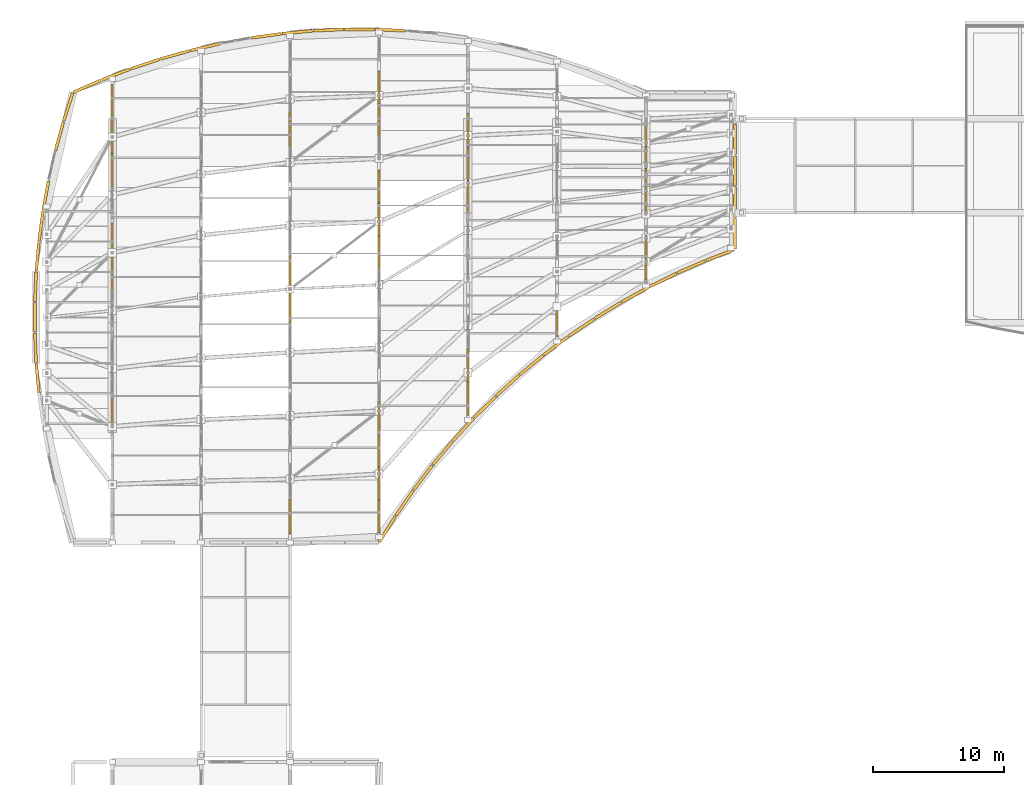
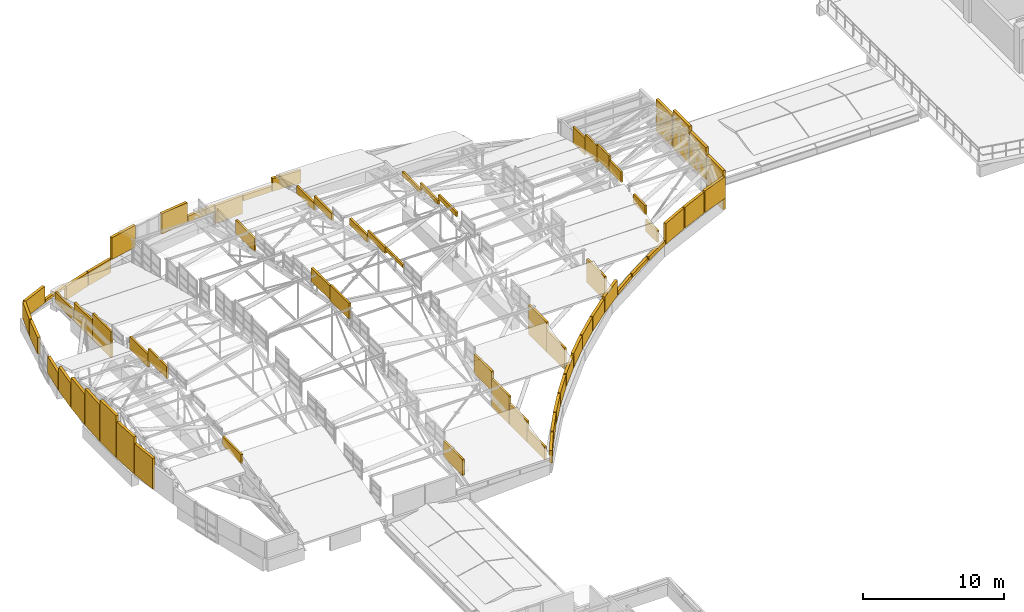
# One storey, part 183 of 188: 69 coverings.
"""IFC4 building model written with IfcOpenShell, lengths in metres."""

from ifc_helpers import new_model, si_unit, direction, frame, origin, origin_2d, place, context, subcontext, project, spatial, rectangle, extrude, material, layer, layer_set, type_object, element, save


model = new_model("IFC4")

# Units and contexts
model_context = context("Model", 3, precision=1e-05, world=origin(), true_north=direction((0.0, 1.0)))
body_context = subcontext(model_context, "Body", "Model", "MODEL_VIEW")
ifc_project = project(units=[si_unit("LENGTHUNIT", "METRE"), si_unit("AREAUNIT", "SQUARE_METRE"), si_unit("VOLUMEUNIT", "CUBIC_METRE"), si_unit("PLANEANGLEUNIT", "RADIAN"), si_unit("MASSUNIT", "GRAM", prefix="KILO")], contexts=[model_context])

# Site, building, storey
site_placement = place(None, origin())
site = spatial("IfcSite", under=ifc_project, at=site_placement, CompositionType="ELEMENT")
building_placement = place(site_placement, origin())
building = spatial("IfcBuilding", under=site, at=building_placement, Name="Kisaragi Civic Commons", CompositionType="ELEMENT")
storey_placement = place(building_placement, frame((0.0, 0.0, 9.60009765625)))
storey = spatial("IfcBuildingStorey", under=building, at=storey_placement, Name="L02", CompositionType="ELEMENT", Elevation=9.60009765625)

# Coverings
ifc_material = material(Name="Extruded Tokoname terracotta rainscreen tile", Category="masonry")
ifc_layer = layer(ifc_material, 0.0400390625, Name="Extruded Tokoname terracotta rainscreen tile", Category="masonry")
ifc_layer_set = layer_set([ifc_layer], Name="Extruded Tokoname terracotta rainscreen tile")
covering_type = type_object("IfcCoveringType", Name="CLD-01", PredefinedType="CLADDING", material=ifc_layer_set)
covering_1_placement = place(storey_placement, frame((6.800048828125, 89.091796875, 1.6162109375), z_axis=(0.0, 0.0, 1.0), x_axis=(0.0, 1.0, 0.0)))
element("IfcCovering", 1, at=covering_1_placement, inside=storey, type_object=covering_type, Name="V2 L02 wave-step terracotta tympanum cladding 137", PredefinedType="CLADDING", context=body_context, shape_type="SweptSolid", body=[
    extrude(rectangle(XDim=2.622314453125, YDim=0.159912109375, at=origin_2d()), origin(), (0.0, 0.0, 1.0), 0.783203125),
])
covering_2_placement = place(storey_placement, frame((6.800048828125, 99.6767578125, 2.59326171875), z_axis=(0.0, 0.0, 1.0), x_axis=(0.0, 1.0, 0.0)))
element("IfcCovering", 2, at=covering_2_placement, inside=storey, type_object=covering_type, Name="V2 L02 wave-step terracotta tympanum cladding 138", PredefinedType="CLADDING", context=body_context, shape_type="SweptSolid", body=[
    extrude(rectangle(XDim=2.622314453125, YDim=0.159912109375, at=origin_2d()), origin(), (0.0, 0.0, 1.0), 1.008544921875),
])
covering_3_placement = place(storey_placement, frame((6.800048828125, 102.322998046875, 1.97119140625), z_axis=(0.0, 0.0, 1.0), x_axis=(0.0, 1.0, 0.0)))
element("IfcCovering", 3, at=covering_3_placement, inside=storey, type_object=covering_type, Name="V2 L02 wave-step terracotta tympanum cladding 139", PredefinedType="CLADDING", context=body_context, shape_type="SweptSolid", body=[
    extrude(rectangle(XDim=2.622314453125, YDim=0.159912109375, at=origin_2d()), origin(), (0.0, 0.0, 1.0), 1.1015625),
])
covering_4_placement = place(storey_placement, frame((6.800048828125, 107.615478515625, -0.419921875), z_axis=(0.0, 0.0, 1.0), x_axis=(0.0, 1.0, 0.0)))
element("IfcCovering", 4, at=covering_4_placement, inside=storey, type_object=covering_type, Name="V2 L02 wave-step terracotta tympanum cladding 140", PredefinedType="CLADDING", context=body_context, shape_type="SweptSolid", body=[
    extrude(rectangle(XDim=2.622314453125, YDim=0.159912109375, at=origin_2d()), origin(), (0.0, 0.0, 1.0), 2.283935546875),
])
covering_5_placement = place(storey_placement, frame((6.800048828125, 110.26171875, -0.420166015625), z_axis=(0.0, 0.0, 1.0), x_axis=(0.0, 1.0, 0.0)))
element("IfcCovering", 5, at=covering_5_placement, inside=storey, type_object=covering_type, Name="V2 L02 wave-step terracotta tympanum cladding 141", PredefinedType="CLADDING", context=body_context, shape_type="SweptSolid", body=[
    extrude(rectangle(XDim=2.622314453125, YDim=0.159912109375, at=origin_2d()), origin(), (0.0, 0.0, 1.0), 1.6240234375),
])
covering_6_placement = place(storey_placement, frame((6.800048828125, 112.90771484375, -0.419921875), z_axis=(0.0, 0.0, 1.0), x_axis=(0.0, 1.0, 0.0)))
element("IfcCovering", 6, at=covering_6_placement, inside=storey, type_object=covering_type, Name="V2 L02 wave-step terracotta tympanum cladding 142", PredefinedType="CLADDING", context=body_context, shape_type="SweptSolid", body=[
    extrude(rectangle(XDim=2.622314453125, YDim=0.159912109375, at=origin_2d()), origin(), (0.0, 0.0, 1.0), 0.907470703125),
])
covering_7_placement = place(storey_placement, frame((20.39990234375, 81.17626953125, 0.639892578125), z_axis=(0.0, 0.0, 1.0), x_axis=(0.0, 1.0, 0.0)))
element("IfcCovering", 7, at=covering_7_placement, inside=storey, type_object=covering_type, Name="V2 L02 wave-step terracotta tympanum cladding 143", PredefinedType="CLADDING", context=body_context, shape_type="SweptSolid", body=[
    extrude(rectangle(XDim=2.66845703125, YDim=0.159912109375, at=origin_2d()), origin(), (0.0, 0.0, 1.0), 1.39599609375),
])
covering_8_placement = place(storey_placement, frame((20.39990234375, 97.331298828125, 4.4189453125), z_axis=(0.0, 0.0, 1.0), x_axis=(0.0, 1.0, 0.0)))
element("IfcCovering", 8, at=covering_8_placement, inside=storey, type_object=covering_type, Name="V2 L02 wave-step terracotta tympanum cladding 144", PredefinedType="CLADDING", context=body_context, shape_type="SweptSolid", body=[
    extrude(rectangle(XDim=2.66845703125, YDim=0.159912109375, at=origin_2d()), origin(), (0.0, 0.0, 1.0), 1.37451171875),
])
covering_9_placement = place(storey_placement, frame((20.39990234375, 100.023681640625, 4.470947265625), z_axis=(0.0, 0.0, 1.0), x_axis=(0.0, 1.0, 0.0)))
element("IfcCovering", 9, at=covering_9_placement, inside=storey, type_object=covering_type, Name="V2 L02 wave-step terracotta tympanum cladding 145", PredefinedType="CLADDING", context=body_context, shape_type="SweptSolid", body=[
    extrude(rectangle(XDim=2.66845703125, YDim=0.159912109375, at=origin_2d()), origin(), (0.0, 0.0, 1.0), 1.173828125),
])
covering_10_placement = place(storey_placement, frame((20.39990234375, 110.79345703125, 2.12744140625), z_axis=(0.0, 0.0, 1.0), x_axis=(0.0, 1.0, 0.0)))
element("IfcCovering", 10, at=covering_10_placement, inside=storey, type_object=covering_type, Name="V2 L02 wave-step terracotta tympanum cladding 146", PredefinedType="CLADDING", context=body_context, shape_type="SweptSolid", body=[
    extrude(rectangle(XDim=2.66845703125, YDim=0.159912109375, at=origin_2d()), origin(), (0.0, 0.0, 1.0), 1.135009765625),
])
covering_11_placement = place(storey_placement, frame((27.199951171875, 81.163330078125, -0.419921875), z_axis=(0.0, 0.0, 1.0), x_axis=(0.0, 1.0, 0.0)))
element("IfcCovering", 11, at=covering_11_placement, inside=storey, type_object=covering_type, Name="V2 L02 wave-step terracotta tympanum cladding 147", PredefinedType="CLADDING", context=body_context, shape_type="SweptSolid", body=[
    extrude(rectangle(XDim=2.501220703125, YDim=0.159912109375, at=origin_2d()), origin(), (0.0, 0.0, 1.0), 1.116455078125),
])
covering_12_placement = place(storey_placement, frame((27.199951171875, 83.688720703125, -0.420166015625), z_axis=(0.0, 0.0, 1.0), x_axis=(0.0, 1.0, 0.0)))
element("IfcCovering", 12, at=covering_12_placement, inside=storey, type_object=covering_type, Name="V2 L02 wave-step terracotta tympanum cladding 148", PredefinedType="CLADDING", context=body_context, shape_type="SweptSolid", body=[
    extrude(rectangle(XDim=2.501220703125, YDim=0.159912109375, at=origin_2d()), origin(), (0.0, 0.0, 1.0), 1.81689453125),
])
covering_13_placement = place(storey_placement, frame((27.199951171875, 86.2138671875, -0.420166015625), z_axis=(0.0, 0.0, 1.0), x_axis=(0.0, 1.0, 0.0)))
element("IfcCovering", 13, at=covering_13_placement, inside=storey, type_object=covering_type, Name="V2 L02 wave-step terracotta tympanum cladding 149", PredefinedType="CLADDING", context=body_context, shape_type="SweptSolid", body=[
    extrude(rectangle(XDim=2.501220703125, YDim=0.159912109375, at=origin_2d()), origin(), (0.0, 0.0, 1.0), 2.4541015625),
])
covering_14_placement = place(storey_placement, frame((27.199951171875, 88.739013671875, 1.00732421875), z_axis=(0.0, 0.0, 1.0), x_axis=(0.0, 1.0, 0.0)))
element("IfcCovering", 14, at=covering_14_placement, inside=storey, type_object=covering_type, Name="V2 L02 wave-step terracotta tympanum cladding 150", PredefinedType="CLADDING", context=body_context, shape_type="SweptSolid", body=[
    extrude(rectangle(XDim=2.501220703125, YDim=0.159912109375, at=origin_2d()), origin(), (0.0, 0.0, 1.0), 1.656494140625),
])
covering_15_placement = place(storey_placement, frame((27.199951171875, 101.364990234375, 4.0107421875), z_axis=(0.0, 0.0, 1.0), x_axis=(0.0, 1.0, 0.0)))
element("IfcCovering", 15, at=covering_15_placement, inside=storey, type_object=covering_type, Name="V2 L02 wave-step terracotta tympanum cladding 151", PredefinedType="CLADDING", context=body_context, shape_type="SweptSolid", body=[
    extrude(rectangle(XDim=2.501220703125, YDim=0.159912109375, at=origin_2d()), origin(), (0.0, 0.0, 1.0), 0.259521484375),
])
covering_16_placement = place(storey_placement, frame((27.199951171875, 103.89013671875, 3.7158203125), z_axis=(0.0, 0.0, 1.0), x_axis=(0.0, 1.0, 0.0)))
element("IfcCovering", 16, at=covering_16_placement, inside=storey, type_object=covering_type, Name="V2 L02 wave-step terracotta tympanum cladding 152", PredefinedType="CLADDING", context=body_context, shape_type="SweptSolid", body=[
    extrude(rectangle(XDim=2.501220703125, YDim=0.159912109375, at=origin_2d()), origin(), (0.0, 0.0, 1.0), 0.517333984375),
])
covering_17_placement = place(storey_placement, frame((27.199951171875, 106.415283203125, 3.15625), z_axis=(0.0, 0.0, 1.0), x_axis=(0.0, 1.0, 0.0)))
element("IfcCovering", 17, at=covering_17_placement, inside=storey, type_object=covering_type, Name="V2 L02 wave-step terracotta tympanum cladding 153", PredefinedType="CLADDING", context=body_context, shape_type="SweptSolid", body=[
    extrude(rectangle(XDim=2.501220703125, YDim=0.159912109375, at=origin_2d()), origin(), (0.0, 0.0, 1.0), 0.586181640625),
])
covering_18_placement = place(storey_placement, frame((27.199951171875, 111.4658203125, 1.9599609375), z_axis=(0.0, 0.0, 1.0), x_axis=(0.0, 1.0, 0.0)))
element("IfcCovering", 18, at=covering_18_placement, inside=storey, type_object=covering_type, Name="V2 L02 wave-step terracotta tympanum cladding 154", PredefinedType="CLADDING", context=body_context, shape_type="SweptSolid", body=[
    extrude(rectangle(XDim=2.501220703125, YDim=0.159912109375, at=origin_2d()), origin(), (0.0, 0.0, 1.0), 0.65380859375),
])
covering_19_placement = place(storey_placement, frame((27.199951171875, 113.990966796875, 1.321044921875), z_axis=(0.0, 0.0, 1.0), x_axis=(0.0, 1.0, 0.0)))
element("IfcCovering", 19, at=covering_19_placement, inside=storey, type_object=covering_type, Name="V2 L02 wave-step terracotta tympanum cladding 155", PredefinedType="CLADDING", context=body_context, shape_type="SweptSolid", body=[
    extrude(rectangle(XDim=2.501220703125, YDim=0.159912109375, at=origin_2d()), origin(), (0.0, 0.0, 1.0), 0.6630859375),
])
covering_20_placement = place(storey_placement, frame((34.0, 90.17138671875, -0.419921875), z_axis=(0.0, 0.0, 1.0), x_axis=(0.0, 1.0, 0.0)))
element("IfcCovering", 20, at=covering_20_placement, inside=storey, type_object=covering_type, Name="V2 L02 wave-step terracotta tympanum cladding 156", PredefinedType="CLADDING", context=body_context, shape_type="SweptSolid", body=[
    extrude(rectangle(XDim=2.544189453125, YDim=0.159912109375, at=origin_2d()), origin(), (0.0, 0.0, 1.0), 1.884521484375),
])
covering_21_placement = place(storey_placement, frame((34.0, 92.739501953125, -0.420166015625), z_axis=(0.0, 0.0, 1.0), x_axis=(0.0, 1.0, 0.0)))
element("IfcCovering", 21, at=covering_21_placement, inside=storey, type_object=covering_type, Name="V2 L02 wave-step terracotta tympanum cladding 157", PredefinedType="CLADDING", context=body_context, shape_type="SweptSolid", body=[
    extrude(rectangle(XDim=2.544189453125, YDim=0.159912109375, at=origin_2d()), origin(), (0.0, 0.0, 1.0), 2.56396484375),
])
covering_22_placement = place(storey_placement, frame((34.0, 105.5810546875, 3.509033203125), z_axis=(0.0, 0.0, 1.0), x_axis=(0.0, 1.0, 0.0)))
element("IfcCovering", 22, at=covering_22_placement, inside=storey, type_object=covering_type, Name="V2 L02 wave-step terracotta tympanum cladding 158", PredefinedType="CLADDING", context=body_context, shape_type="SweptSolid", body=[
    extrude(rectangle(XDim=2.544189453125, YDim=0.159912109375, at=origin_2d()), origin(), (0.0, 0.0, 1.0), 0.3955078125),
])
covering_23_placement = place(storey_placement, frame((34.0, 108.1494140625, 3.009765625), z_axis=(0.0, 0.0, 1.0), x_axis=(0.0, 1.0, 0.0)))
element("IfcCovering", 23, at=covering_23_placement, inside=storey, type_object=covering_type, Name="V2 L02 wave-step terracotta tympanum cladding 159", PredefinedType="CLADDING", context=body_context, shape_type="SweptSolid", body=[
    extrude(rectangle(XDim=2.544189453125, YDim=0.159912109375, at=origin_2d()), origin(), (0.0, 0.0, 1.0), 0.360595703125),
])
covering_24_placement = place(storey_placement, frame((34.0, 110.717529296875, 2.43994140625), z_axis=(0.0, 0.0, 1.0), x_axis=(0.0, 1.0, 0.0)))
element("IfcCovering", 24, at=covering_24_placement, inside=storey, type_object=covering_type, Name="V2 L02 wave-step terracotta tympanum cladding 160", PredefinedType="CLADDING", context=body_context, shape_type="SweptSolid", body=[
    extrude(rectangle(XDim=2.544189453125, YDim=0.159912109375, at=origin_2d()), origin(), (0.0, 0.0, 1.0), 0.360107421875),
])
covering_25_placement = place(storey_placement, frame((40.800048828125, 96.22900390625, -0.419921875), z_axis=(0.0, 0.0, 1.0), x_axis=(0.0, 1.0, 0.0)))
element("IfcCovering", 25, at=covering_25_placement, inside=storey, type_object=covering_type, Name="V2 L02 wave-step terracotta tympanum cladding 163", PredefinedType="CLADDING", context=body_context, shape_type="SweptSolid", body=[
    extrude(rectangle(XDim=2.553466796875, YDim=0.159912109375, at=origin_2d()), origin(), (0.0, 0.0, 1.0), 2.023681640625),
])
covering_26_placement = place(storey_placement, frame((47.60009765625, 100.099365234375, -0.420166015625), z_axis=(0.0, 0.0, 1.0), x_axis=(0.0, 1.0, 0.0)))
element("IfcCovering", 26, at=covering_26_placement, inside=storey, type_object=covering_type, Name="V2 L02 wave-step terracotta tympanum cladding 164", PredefinedType="CLADDING", context=body_context, shape_type="SweptSolid", body=[
    extrude(rectangle(XDim=1.692138671875, YDim=0.159912109375, at=origin_2d()), origin(), (0.0, 0.0, 1.0), 0.9921875),
])
covering_27_placement = place(storey_placement, frame((47.60009765625, 101.8154296875, 0.93994140625), z_axis=(0.0, 0.0, 1.0), x_axis=(0.0, 1.0, 0.0)))
element("IfcCovering", 27, at=covering_27_placement, inside=storey, type_object=covering_type, Name="V2 L02 wave-step terracotta tympanum cladding 165", PredefinedType="CLADDING", context=body_context, shape_type="SweptSolid", body=[
    extrude(rectangle(XDim=1.69189453125, YDim=0.159912109375, at=origin_2d()), origin(), (0.0, 0.0, 1.0), 0.797119140625),
])
covering_28_placement = place(storey_placement, frame((47.60009765625, 105.24755859375, 1.6767578125), z_axis=(0.0, 0.0, 1.0), x_axis=(0.0, 1.0, 0.0)))
element("IfcCovering", 28, at=covering_28_placement, inside=storey, type_object=covering_type, Name="V2 L02 wave-step terracotta tympanum cladding 166", PredefinedType="CLADDING", context=body_context, shape_type="SweptSolid", body=[
    extrude(rectangle(XDim=1.692138671875, YDim=0.159912109375, at=origin_2d()), origin(), (0.0, 0.0, 1.0), 0.9052734375),
])
covering_29_placement = place(storey_placement, frame((47.60009765625, 106.9638671875, 1.680908203125), z_axis=(0.0, 0.0, 1.0), x_axis=(0.0, 1.0, 0.0)))
element("IfcCovering", 29, at=covering_29_placement, inside=storey, type_object=covering_type, Name="V2 L02 wave-step terracotta tympanum cladding 167", PredefinedType="CLADDING", context=body_context, shape_type="SweptSolid", body=[
    extrude(rectangle(XDim=1.692138671875, YDim=0.159912109375, at=origin_2d()), origin(), (0.0, 0.0, 1.0), 1.24853515625),
])
covering_30_placement = place(storey_placement, frame((47.60009765625, 108.6796875, 1.332275390625), z_axis=(0.0, 0.0, 1.0), x_axis=(0.0, 1.0, 0.0)))
element("IfcCovering", 30, at=covering_30_placement, inside=storey, type_object=covering_type, Name="V2 L02 wave-step terracotta tympanum cladding 168", PredefinedType="CLADDING", context=body_context, shape_type="SweptSolid", body=[
    extrude(rectangle(XDim=1.69189453125, YDim=0.159912109375, at=origin_2d()), origin(), (0.0, 0.0, 1.0), 1.41650390625),
])
covering_31_placement = place(storey_placement, frame((47.60009765625, 110.395751953125, 0.94482421875), z_axis=(0.0, 0.0, 1.0), x_axis=(0.0, 1.0, 0.0)))
element("IfcCovering", 31, at=covering_31_placement, inside=storey, type_object=covering_type, Name="V2 L02 wave-step terracotta tympanum cladding 169", PredefinedType="CLADDING", context=body_context, shape_type="SweptSolid", body=[
    extrude(rectangle(XDim=1.692138671875, YDim=0.159912109375, at=origin_2d()), origin(), (0.0, 0.0, 1.0), 1.431396484375),
])
covering_32_placement = place(storey_placement, frame((1.09619140625, 91.73291015625, -0.32421875), z_axis=(0.0, 0.0, 1.0), x_axis=(-0.089763472712, 0.995963111248, 0.0)))
element("IfcCovering", 32, at=covering_32_placement, inside=storey, type_object=covering_type, Name="V2 L02 curved terracotta gable cladding 174", PredefinedType="CLADDING", context=body_context, shape_type="SweptSolid", body=[
    extrude(rectangle(XDim=2.257080078125, YDim=0.219970703125, at=origin_2d()), origin(), (0.0, 0.0, 1.0), 2.660400390625),
])
covering_33_placement = place(storey_placement, frame((0.938720703125, 94.06396484375, -0.32421875), z_axis=(0.0, 0.0, 1.0), x_axis=(-0.045014278861, 0.9989863436, 0.0)))
element("IfcCovering", 33, at=covering_33_placement, inside=storey, type_object=covering_type, Name="V2 L02 curved terracotta gable cladding 175", PredefinedType="CLADDING", context=body_context, shape_type="SweptSolid", body=[
    extrude(rectangle(XDim=2.257080078125, YDim=0.219970703125, at=origin_2d()), origin(), (0.0, 0.0, 1.0), 3.177978515625),
])
covering_34_placement = place(storey_placement, frame((0.885986328125, 96.39990234375, -0.323974609375), z_axis=(0.0, 0.0, 1.0), x_axis=(0.0, 1.0, 0.0)))
element("IfcCovering", 34, at=covering_34_placement, inside=storey, type_object=covering_type, Name="V2 L02 curved terracotta gable cladding 176", PredefinedType="CLADDING", context=body_context, shape_type="SweptSolid", body=[
    extrude(rectangle(XDim=2.257080078125, YDim=0.219970703125, at=origin_2d()), origin(), (0.0, 0.0, 1.0), 3.63232421875),
])
covering_35_placement = place(storey_placement, frame((0.938720703125, 98.736083984375, -0.32421875), z_axis=(0.0, 0.0, 1.0), x_axis=(0.045014278861, 0.9989863436, 0.0)))
element("IfcCovering", 35, at=covering_35_placement, inside=storey, type_object=covering_type, Name="V2 L02 curved terracotta gable cladding 177", PredefinedType="CLADDING", context=body_context, shape_type="SweptSolid", body=[
    extrude(rectangle(XDim=2.257080078125, YDim=0.219970703125, at=origin_2d()), origin(), (0.0, 0.0, 1.0), 3.177978515625),
])
covering_36_placement = place(storey_placement, frame((1.09619140625, 101.0673828125, -0.32421875), z_axis=(0.0, 0.0, 1.0), x_axis=(0.089763472712, 0.995963111248, 0.0)))
element("IfcCovering", 36, at=covering_36_placement, inside=storey, type_object=covering_type, Name="V2 L02 curved terracotta gable cladding 178", PredefinedType="CLADDING", context=body_context, shape_type="SweptSolid", body=[
    extrude(rectangle(XDim=2.257080078125, YDim=0.219970703125, at=origin_2d()), origin(), (0.0, 0.0, 1.0), 2.660400390625),
])
covering_37_placement = place(storey_placement, frame((1.358154296875, 103.388916015625, -0.32421875), z_axis=(0.0, 0.0, 1.0), x_axis=(0.134332095642, 0.99093636934, 0.0)))
element("IfcCovering", 37, at=covering_37_placement, inside=storey, type_object=covering_type, Name="V2 L02 curved terracotta gable cladding 179", PredefinedType="CLADDING", context=body_context, shape_type="SweptSolid", body=[
    extrude(rectangle(XDim=2.257080078125, YDim=0.219970703125, at=origin_2d()), origin(), (0.0, 0.0, 1.0), 2.080810546875),
])
for number, where, z_axis, x_axis, name in (
    (38, (1.72412109375, 105.69677734375, -0.323974609375), (0.0, 0.0, 1.0), (0.178802215116, 0.983885037934, 0.0), "V2 L02 curved terracotta gable cladding 180"),
    (39, (2.765380859375, 110.251220703125, -0.323974609375), (0.0, 0.0, 1.0), (0.266397348219, 0.963863295733, 0.0), "V2 L02 curved terracotta gable cladding 181"),
    (40, (3.438232421875, 112.48876953125, -0.323974609375), (0.0, 0.0, 1.0), (0.30951492402, 0.950894585014, 0.0), "V2 L02 curved terracotta gable cladding 182"),
):
    element("IfcCovering", number, at=place(storey_placement, frame(where, z_axis=z_axis, x_axis=x_axis)), inside=storey, type_object=covering_type, Name=name, PredefinedType="CLADDING", context=body_context, shape_type="SweptSolid", body=[
        extrude(rectangle(XDim=2.257080078125, YDim=0.219970703125, at=origin_2d()), origin(), (0.0, 0.0, 1.0), 1.4443359375),
    ])
covering_38_placement = place(storey_placement, frame((4.89013671875, 114.076171875, -0.323974609375), z_axis=(0.0, 0.0, 1.0), x_axis=(0.916362729562, 0.400349032557, 0.0)))
element("IfcCovering", 41, at=covering_38_placement, inside=storey, type_object=covering_type, Name="V2 L02 curved terracotta gable cladding 183", PredefinedType="CLADDING", context=body_context, shape_type="SweptSolid", body=[
    extrude(rectangle(XDim=2.29931640625, YDim=0.219970703125, at=origin_2d()), origin(), (0.0, 0.0, 1.0), 1.4443359375),
])
covering_39_placement = place(storey_placement, frame((7.09130859375, 114.978271484375, -0.32421875), z_axis=(0.0, 0.0, 1.0), x_axis=(0.933705463631, 0.358042046673, 0.0)))
element("IfcCovering", 42, at=covering_39_placement, inside=storey, type_object=covering_type, Name="V2 L02 curved terracotta gable cladding 184", PredefinedType="CLADDING", context=body_context, shape_type="SweptSolid", body=[
    extrude(rectangle(XDim=2.29931640625, YDim=0.219970703125, at=origin_2d()), origin(), (0.0, 0.0, 1.0), 0.2294921875),
])
for number, where, z_axis, x_axis, name in (
    (43, (9.331298828125, 115.77880859375, -1.399169921875), (0.0, 0.0, 1.0), (0.949151106053, 0.314820866332, 0.0), "V2 L02 curved terracotta gable cladding 185"),
    (44, (11.60546875, 116.475830078125, -1.399169921875), (0.0, 0.0, 1.0), (0.962549928407, 0.271104473079, 0.0), "V2 L02 curved terracotta gable cladding 186"),
):
    element("IfcCovering", number, at=place(storey_placement, frame(where, z_axis=z_axis, x_axis=x_axis)), inside=storey, type_object=covering_type, Name=name, PredefinedType="CLADDING", context=body_context, shape_type="SweptSolid", body=[
        extrude(rectangle(XDim=2.29931640625, YDim=0.219970703125, at=origin_2d()), origin(), (0.0, 0.0, 1.0), 1.1787109375),
    ])
covering_40_placement = place(storey_placement, frame((13.9091796875, 117.068115234375, -0.32421875), z_axis=(0.0, 0.0, 1.0), x_axis=(0.973936394329, 0.226821294859, 0.0)))
element("IfcCovering", 45, at=covering_40_placement, inside=storey, type_object=covering_type, Name="V2 L02 curved terracotta gable cladding 187", PredefinedType="CLADDING", context=body_context, shape_type="SweptSolid", body=[
    extrude(rectangle(XDim=2.299072265625, YDim=0.219970703125, at=origin_2d()), origin(), (0.0, 0.0, 1.0), 1.893310546875),
])
covering_41_placement = place(storey_placement, frame((18.585693359375, 117.933837890625, -0.32421875), z_axis=(0.0, 0.0, 1.0), x_axis=(0.990605176244, 0.136753006543, 0.0)))
element("IfcCovering", 46, at=covering_41_placement, inside=storey, type_object=covering_type, Name="V2 L02 curved terracotta gable cladding 188", PredefinedType="CLADDING", context=body_context, shape_type="SweptSolid", body=[
    extrude(rectangle(XDim=2.29931640625, YDim=0.219970703125, at=origin_2d()), origin(), (0.0, 0.0, 1.0), 1.754150390625),
])
covering_42_placement = place(storey_placement, frame((20.948974609375, 118.205322265625, -0.323974609375), z_axis=(0.0, 0.0, 1.0), x_axis=(0.995820882453, 0.091327816524, 0.0)))
element("IfcCovering", 47, at=covering_42_placement, inside=storey, type_object=covering_type, Name="V2 L02 curved terracotta gable cladding 189", PredefinedType="CLADDING", context=body_context, shape_type="SweptSolid", body=[
    extrude(rectangle(XDim=2.29931640625, YDim=0.219970703125, at=origin_2d()), origin(), (0.0, 0.0, 1.0), 0.5283203125),
])
covering_43_placement = place(storey_placement, frame((23.322021484375, 118.368408203125, -1.399169921875), z_axis=(0.0, 0.0, 1.0), x_axis=(0.99895467426, 0.04571169187, 0.0)))
element("IfcCovering", 48, at=covering_43_placement, inside=storey, type_object=covering_type, Name="V2 L02 curved terracotta gable cladding 190", PredefinedType="CLADDING", context=body_context, shape_type="SweptSolid", body=[
    extrude(rectangle(XDim=2.29931640625, YDim=0.219970703125, at=origin_2d()), origin(), (0.0, 0.0, 1.0), 1.55810546875),
])
covering_44_placement = place(storey_placement, frame((25.699951171875, 118.423095703125, -0.32421875), z_axis=(0.0, 0.0, 1.0), x_axis=(1.0, 0.0, 0.0)))
element("IfcCovering", 49, at=covering_44_placement, inside=storey, type_object=covering_type, Name="V2 L02 curved terracotta gable cladding 191", PredefinedType="CLADDING", context=body_context, shape_type="SweptSolid", body=[
    extrude(rectangle(XDim=2.29931640625, YDim=0.219970703125, at=origin_2d()), origin(), (0.0, 0.0, 1.0), 0.468017578125),
])
covering_45_placement = place(storey_placement, frame((28.078125, 118.368408203125, -0.32421875), z_axis=(0.0, 0.0, 1.0), x_axis=(0.99895467426, -0.04571169187, 0.0)))
element("IfcCovering", 50, at=covering_45_placement, inside=storey, type_object=covering_type, Name="V2 L02 curved terracotta gable cladding 192", PredefinedType="CLADDING", context=body_context, shape_type="SweptSolid", body=[
    extrude(rectangle(XDim=2.29931640625, YDim=0.219970703125, at=origin_2d()), origin(), (0.0, 0.0, 1.0), 1.107421875),
])
covering_46_placement = place(storey_placement, frame((54.39990234375, 110.0, -0.32421875), z_axis=(0.0, 0.0, 1.0), x_axis=(0.0, -1.0, 0.0)))
element("IfcCovering", 51, at=covering_46_placement, inside=storey, type_object=covering_type, Name="V2 L02 curved terracotta gable cladding 203", PredefinedType="CLADDING", context=body_context, shape_type="SweptSolid", body=[
    extrude(rectangle(XDim=2.320068359375, YDim=0.219970703125, at=origin_2d()), origin(), (0.0, 0.0, 1.0), 2.780029296875),
])
covering_47_placement = place(storey_placement, frame((54.39990234375, 107.60009765625, -0.32421875), z_axis=(0.0, 0.0, 1.0), x_axis=(0.0, -1.0, 0.0)))
element("IfcCovering", 52, at=covering_47_placement, inside=storey, type_object=covering_type, Name="V2 L02 curved terracotta gable cladding 204", PredefinedType="CLADDING", context=body_context, shape_type="SweptSolid", body=[
    extrude(rectangle(XDim=2.320068359375, YDim=0.219970703125, at=origin_2d()), origin(), (0.0, 0.0, 1.0), 3.27490234375),
])
covering_48_placement = place(storey_placement, frame((54.39990234375, 105.199951171875, -0.32421875), z_axis=(0.0, 0.0, 1.0), x_axis=(0.0, -1.0, 0.0)))
element("IfcCovering", 53, at=covering_48_placement, inside=storey, type_object=covering_type, Name="V2 L02 curved terracotta gable cladding 205", PredefinedType="CLADDING", context=body_context, shape_type="SweptSolid", body=[
    extrude(rectangle(XDim=2.320068359375, YDim=0.219970703125, at=origin_2d()), origin(), (0.0, 0.0, 1.0), 2.8876953125),
])
covering_49_placement = place(storey_placement, frame((54.39990234375, 102.800048828125, -1.399169921875), z_axis=(0.0, 0.0, 1.0), x_axis=(0.0, -1.0, 0.0)))
element("IfcCovering", 54, at=covering_49_placement, inside=storey, type_object=covering_type, Name="V2 L02 curved terracotta gable cladding 206", PredefinedType="CLADDING", context=body_context, shape_type="SweptSolid", body=[
    extrude(rectangle(XDim=2.320068359375, YDim=0.219970703125, at=origin_2d()), origin(), (0.0, 0.0, 1.0), 3.3935546875),
])
covering_50_placement = place(storey_placement, frame((53.281494140625, 101.1708984375, -0.32421875), z_axis=(0.0, 0.0, 1.0), x_axis=(-0.933642959284, -0.358205003565, 0.0)))
element("IfcCovering", 55, at=covering_50_placement, inside=storey, type_object=covering_type, Name="V2 L02 curved terracotta gable cladding 207", PredefinedType="CLADDING", context=body_context, shape_type="SweptSolid", body=[
    extrude(rectangle(XDim=2.31640625, YDim=0.219970703125, at=origin_2d()), origin(), (0.0, 0.0, 1.0), 1.874267578125),
])
for number, where, z_axis, x_axis, name in (
    (56, (51.06494140625, 100.261474609375, -0.32421875), (0.0, 0.0, 1.0), (-0.916152981696, -0.400828784059, 0.0), "V2 L02 curved terracotta gable cladding 208"),
    (57, (48.892822265625, 99.2509765625, -0.32421875), (0.0, 0.0, 1.0), (-0.896718299017, -0.442601730913, 0.0), "V2 L02 curved terracotta gable cladding 209"),
):
    element("IfcCovering", number, at=place(storey_placement, frame(where, z_axis=z_axis, x_axis=x_axis)), inside=storey, type_object=covering_type, Name=name, PredefinedType="CLADDING", context=body_context, shape_type="SweptSolid", body=[
        extrude(rectangle(XDim=2.31640625, YDim=0.219970703125, at=origin_2d()), origin(), (0.0, 0.0, 1.0), 1.804931640625),
    ])
covering_51_placement = place(storey_placement, frame((46.76953125, 98.141357421875, -0.32421875), z_axis=(0.0, 0.0, 1.0), x_axis=(-0.875380164978, -0.483435173278, 0.0)))
element("IfcCovering", 58, at=covering_51_placement, inside=storey, type_object=covering_type, Name="V2 L02 curved terracotta gable cladding 210", PredefinedType="CLADDING", context=body_context, shape_type="SweptSolid", body=[
    extrude(rectangle(XDim=2.31640625, YDim=0.219970703125, at=origin_2d()), origin(), (0.0, 0.0, 1.0), 0.34619140625),
])
for number, where, z_axis, x_axis, name in (
    (59, (44.69970703125, 96.935302734375, -0.32421875), (0.0, 0.0, 1.0), (-0.852183873736, -0.523242434579, 0.0), "V2 L02 curved terracotta gable cladding 211"),
    (60, (42.6875, 95.635009765625, -0.32421875), (0.0, 0.0, 1.0), (-0.827178663733, -0.5619390165, 0.0), "V2 L02 curved terracotta gable cladding 212"),
):
    element("IfcCovering", number, at=place(storey_placement, frame(where, z_axis=z_axis, x_axis=x_axis)), inside=storey, type_object=covering_type, Name=name, PredefinedType="CLADDING", context=body_context, shape_type="SweptSolid", body=[
        extrude(rectangle(XDim=2.31640625, YDim=0.219970703125, at=origin_2d()), origin(), (0.0, 0.0, 1.0), 0.321044921875),
    ])
covering_52_placement = place(storey_placement, frame((40.737548828125, 94.243408203125, -0.32421875), z_axis=(0.0, 0.0, 1.0), x_axis=(-0.800417613178, -0.599442778349, 0.0)))
element("IfcCovering", 61, at=covering_52_placement, inside=storey, type_object=covering_type, Name="V2 L02 curved terracotta gable cladding 213", PredefinedType="CLADDING", context=body_context, shape_type="SweptSolid", body=[
    extrude(rectangle(XDim=2.31640625, YDim=0.219970703125, at=origin_2d()), origin(), (0.0, 0.0, 1.0), 1.368896484375),
])
for number, where, z_axis, x_axis, name in (
    (62, (38.853515625, 92.763427734375, -0.323974609375), (0.0, 0.0, 1.0), (-0.771957527377, -0.635674111417, 0.0), "V2 L02 curved terracotta gable cladding 214"),
    (63, (37.039794921875, 91.1982421875, -0.323974609375), (0.0, 0.0, 1.0), (-0.741741772739, -0.670685576537, 0.0), "V2 L02 curved terracotta gable cladding 215"),
):
    element("IfcCovering", number, at=place(storey_placement, frame(where, z_axis=z_axis, x_axis=x_axis)), inside=storey, type_object=covering_type, Name=name, PredefinedType="CLADDING", context=body_context, shape_type="SweptSolid", body=[
        extrude(rectangle(XDim=2.31640625, YDim=0.219970703125, at=origin_2d()), origin(), (0.0, 0.0, 1.0), 1.236328125),
    ])
covering_53_placement = place(storey_placement, frame((35.30029296875, 89.55126953125, -0.323974609375), z_axis=(0.0, 0.0, 1.0), x_axis=(-0.710185375623, -0.704014724456, 0.0)))
element("IfcCovering", 64, at=covering_53_placement, inside=storey, type_object=covering_type, Name="V2 L02 curved terracotta gable cladding 216", PredefinedType="CLADDING", context=body_context, shape_type="SweptSolid", body=[
    extrude(rectangle(XDim=2.316162109375, YDim=0.219970703125, at=origin_2d()), origin(), (0.0, 0.0, 1.0), 1.236328125),
])
covering_54_placement = place(storey_placement, frame((33.63818359375, 87.82568359375, -0.323974609375), z_axis=(0.0, 0.0, 1.0), x_axis=(-0.676875969683, -0.73609708712, 0.0)))
element("IfcCovering", 65, at=covering_54_placement, inside=storey, type_object=covering_type, Name="V2 L02 curved terracotta gable cladding 217", PredefinedType="CLADDING", context=body_context, shape_type="SweptSolid", body=[
    extrude(rectangle(XDim=2.31640625, YDim=0.219970703125, at=origin_2d()), origin(), (0.0, 0.0, 1.0), 1.1298828125),
])
covering_55_placement = place(storey_placement, frame((32.0576171875, 86.025634765625, -0.32421875), z_axis=(0.0, 0.0, 1.0), x_axis=(-0.64238642166, -0.766380900901, 0.0)))
element("IfcCovering", 66, at=covering_55_placement, inside=storey, type_object=covering_type, Name="V2 L02 curved terracotta gable cladding 218", PredefinedType="CLADDING", context=body_context, shape_type="SweptSolid", body=[
    extrude(rectangle(XDim=2.316162109375, YDim=0.219970703125, at=origin_2d()), origin(), (0.0, 0.0, 1.0), 1.107421875),
])
covering_56_placement = place(storey_placement, frame((30.5615234375, 84.154541015625, -0.32421875), z_axis=(0.0, 0.0, 1.0), x_axis=(-0.606266035968, -0.79526190254, 0.0)))
element("IfcCovering", 67, at=covering_56_placement, inside=storey, type_object=covering_type, Name="V2 L02 curved terracotta gable cladding 219", PredefinedType="CLADDING", context=body_context, shape_type="SweptSolid", body=[
    extrude(rectangle(XDim=2.31640625, YDim=0.219970703125, at=origin_2d()), origin(), (0.0, 0.0, 1.0), 1.107421875),
])
covering_57_placement = place(storey_placement, frame((29.1533203125, 82.216552734375, -0.32421875), z_axis=(0.0, 0.0, 1.0), x_axis=(-0.568992506345, -0.82234270698, 0.0)))
element("IfcCovering", 68, at=covering_57_placement, inside=storey, type_object=covering_type, Name="V2 L02 curved terracotta gable cladding 220", PredefinedType="CLADDING", context=body_context, shape_type="SweptSolid", body=[
    extrude(rectangle(XDim=2.316162109375, YDim=0.219970703125, at=origin_2d()), origin(), (0.0, 0.0, 1.0), 1.107421875),
])
covering_58_placement = place(storey_placement, frame((27.835693359375, 80.215576171875, -0.32421875), z_axis=(0.0, 0.0, 1.0), x_axis=(-0.530511184307, -0.847677936085, 0.0)))
element("IfcCovering", 69, at=covering_58_placement, inside=storey, type_object=covering_type, Name="V2 L02 curved terracotta gable cladding 221", PredefinedType="CLADDING", context=body_context, shape_type="SweptSolid", body=[
    extrude(rectangle(XDim=2.31640625, YDim=0.219970703125, at=origin_2d()), origin(), (0.0, 0.0, 1.0), 1.107421875),
])

save(model, "model.ifc")
